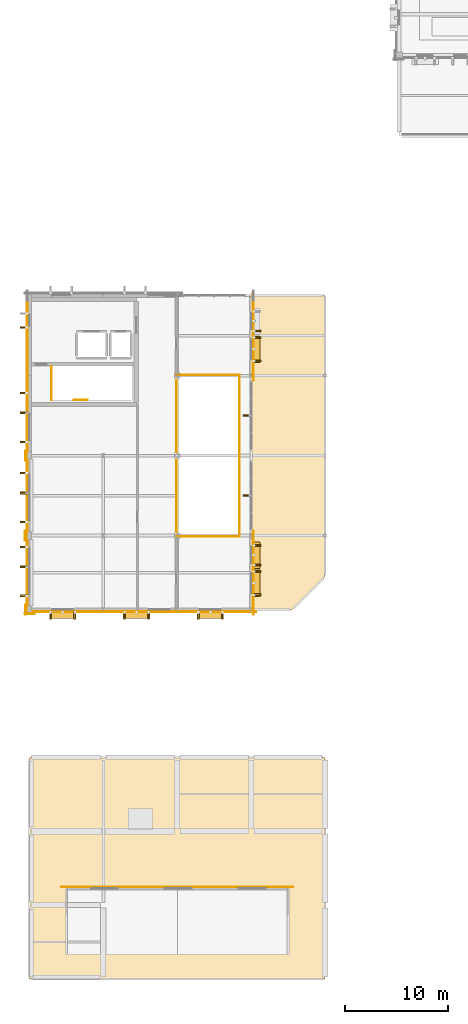
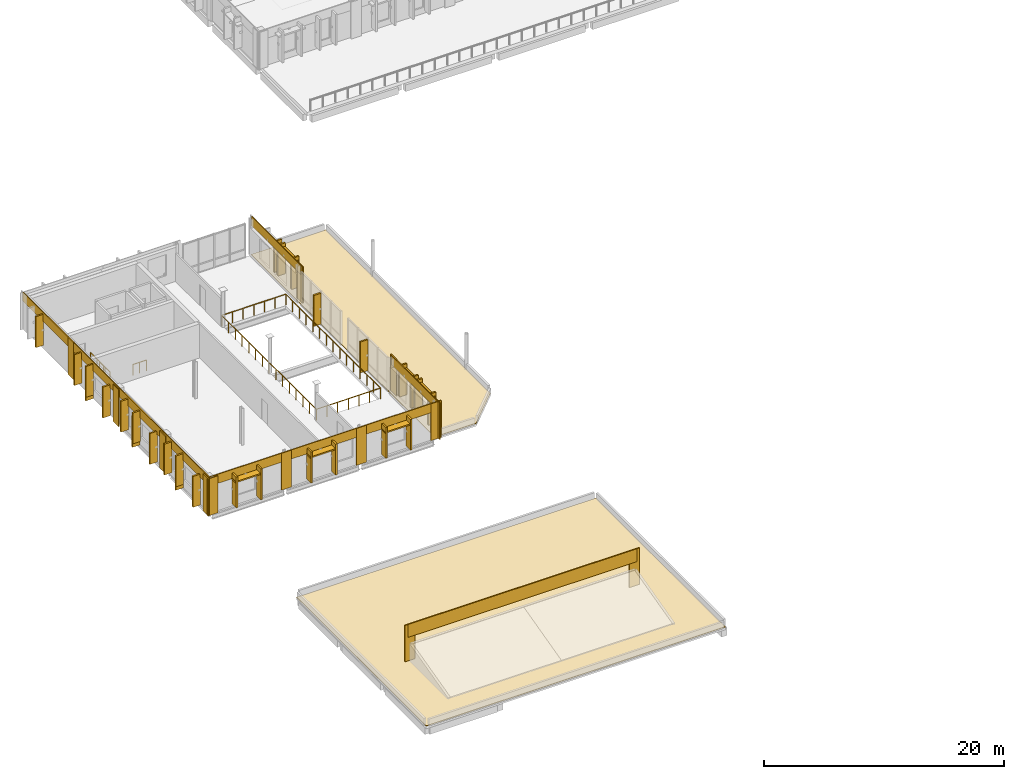
# One storey, part 17 of 23: 34 shading devices, 25 coverings, 7 railings.
"""IFC4 building model written with IfcOpenShell, lengths in metres."""

import ifcopenshell
import ifcopenshell.guid

model = None  # the IFC model being written
_history = None  # IfcOwnerHistory: only IFC2X3 demands one
_inside = {}  # id of a spatial element -> (the spatial element, [elements in it])
_under = {}  # id of a project, library or spatial element -> (it, [spatial elements below it])
_declared = {}  # id of a project -> (the project, [libraries it declares])
_typed = {}  # id of a type object -> (the type object, [elements of that type])
_made_of = {}  # id of a material, layer set ... -> (it, [elements and type objects made of it])


def new_model(schema):
    """Start an empty IFC model of exactly this schema.

    Asked for "IFC4X3", IfcOpenShell would pick the latest addendum, in which some entities
    have other attributes; the version numbers below select the first issue.
    IFC2X3 requires an IfcOwnerHistory on every rooted entity: one is made here for all.
    """
    global model, _history
    if schema == "IFC4X3":
        model = ifcopenshell.file(schema_version=(4, 3, 0, 0))
    else:
        model = ifcopenshell.file(schema=schema)
    _inside.clear()
    _under.clear()
    _declared.clear()
    _typed.clear()
    _made_of.clear()
    _history = None
    if model.schema == "IFC2X3":
        org = make("IfcOrganization", Name="unknown")
        user = make(
            "IfcPersonAndOrganization",
            ThePerson=make("IfcPerson", FamilyName="unknown"),
            TheOrganization=org,
        )
        app = make(
            "IfcApplication",
            ApplicationDeveloper=org,
            Version="unknown",
            ApplicationFullName="unknown",
            ApplicationIdentifier="unknown",
        )
        _history = make(
            "IfcOwnerHistory",
            OwningUser=user,
            OwningApplication=app,
            ChangeAction="ADDED",
            CreationDate=0,
        )
    return model


def make(cls, **values):
    """One entity of the class cls with the attributes given. An attribute that is None is left unset."""
    return model.create_entity(
        cls, **{name: value for name, value in values.items() if value is not None}
    )


def rooted(cls, **values):
    """An entity with a GlobalId (a new one), such as an element, a storey or a relation."""
    return make(cls, GlobalId=ifcopenshell.guid.new(), OwnerHistory=_history, **values)


def si_unit(unit_type, name, prefix=None):
    """IfcSIUnit, for example si_unit("LENGTHUNIT", "METRE", prefix="MILLI")."""
    return make("IfcSIUnit", UnitType=unit_type, Prefix=prefix, Name=name)


def assignment(units):
    """IfcUnitAssignment: the units of a project."""
    return None if units is None else make("IfcUnitAssignment", Units=units)


def point(xyz):
    """IfcCartesianPoint."""
    return None if xyz is None else make("IfcCartesianPoint", Coordinates=xyz)


def direction(xyz):
    """IfcDirection."""
    return None if xyz is None else make("IfcDirection", DirectionRatios=xyz)


def frame(location, z_axis=None, x_axis=None):
    """IfcAxis2Placement3D, a coordinate frame: its origin and axes. An axis left out is left unset."""
    return make(
        "IfcAxis2Placement3D",
        Location=point(location),
        Axis=direction(z_axis),
        RefDirection=direction(x_axis),
    )


def frame_2d(location, x_axis=None):
    """IfcAxis2Placement2D, a coordinate frame in the plane: its origin and x axis."""
    return make(
        "IfcAxis2Placement2D", Location=point(location), RefDirection=direction(x_axis)
    )


def origin():
    """The frame at (0, 0, 0) with its axes left unset."""
    return frame((0.0, 0.0, 0.0))


def origin_2d():
    """The frame at (0, 0) in the plane with its x axis left unset."""
    return frame_2d((0.0, 0.0))


def place(relative_to, where):
    """IfcLocalPlacement: puts the frame where relative to a parent placement (None: the world)."""
    return make(
        "IfcLocalPlacement", PlacementRelTo=relative_to, RelativePlacement=where
    )


def context(
    kind, dimensions, precision=None, world=None, true_north=None, identifier=None
):
    """IfcGeometricRepresentationContext, for example the 3D "Model" context."""
    return make(
        "IfcGeometricRepresentationContext",
        ContextIdentifier=identifier,
        ContextType=kind,
        CoordinateSpaceDimension=dimensions,
        Precision=precision,
        WorldCoordinateSystem=world,
        TrueNorth=true_north,
    )


def subcontext(parent, identifier, kind, view, scale=None):
    """IfcGeometricRepresentationSubContext, for example "Body" below "Model"."""
    return make(
        "IfcGeometricRepresentationSubContext",
        ContextIdentifier=identifier,
        ContextType=kind,
        ParentContext=parent,
        TargetScale=scale,
        TargetView=view,
    )


def project(units=None, contexts=None):
    """IfcProject with its units and contexts."""
    return rooted(
        "IfcProject",
        Name="project",
        RepresentationContexts=contexts,
        UnitsInContext=assignment(units),
    )


def spatial(cls, under=None, at=None, **own):
    """A site, building, storey or space (cls), placed at a placement, below another one or the project."""
    s = rooted(cls, ObjectPlacement=at, **own)
    if under is not None:
        _under.setdefault(under.id(), (under, []))[1].append(s)
    return s


def polyline(points):
    """IfcPolyline through the points."""
    return make("IfcPolyline", Points=[point(p) for p in points])


def profile(cls, at=None, kind="AREA", **sizes):
    """A parametric profile (cls). Its sizes go by their IFC names, for example OverallWidth=200.0."""
    return make(cls, ProfileType=kind, Position=at, **sizes)


def rectangle(**sizes):
    """IfcRectangleProfileDef."""
    return profile("IfcRectangleProfileDef", **sizes)


def circle(**sizes):
    """IfcCircleProfileDef."""
    return profile("IfcCircleProfileDef", **sizes)


def outline(outer, holes=None, kind="AREA"):
    """IfcArbitraryClosedProfileDef: a profile drawn as a closed curve; with holes, ...WithVoids."""
    if holes is None:
        return make("IfcArbitraryClosedProfileDef", ProfileType=kind, OuterCurve=outer)
    return make(
        "IfcArbitraryProfileDefWithVoids",
        ProfileType=kind,
        OuterCurve=outer,
        InnerCurves=holes,
    )


def extrude(swept, where, along, depth):
    """IfcExtrudedAreaSolid: the profile swept, set in the frame where, extruded along a direction by depth."""
    return make(
        "IfcExtrudedAreaSolid",
        SweptArea=swept,
        Position=where,
        ExtrudedDirection=direction(along),
        Depth=depth,
    )


def shape(context_of_items, identifier, shape_type, items):
    """IfcShapeRepresentation: the items that make up one representation, for example the "Body"."""
    return make(
        "IfcShapeRepresentation",
        ContextOfItems=context_of_items,
        RepresentationIdentifier=identifier,
        RepresentationType=shape_type,
        Items=items,
    )


def material(Name=None, Category=None):
    """IfcMaterial."""
    return make("IfcMaterial", Name=Name, Category=Category)


def layer(
    of_material, thickness, ventilated=None, Name=None, Category=None, Priority=None
):
    """IfcMaterialLayer: one layer of a wall or slab, of a material (None: an air gap)."""
    return make(
        "IfcMaterialLayer",
        Material=of_material,
        LayerThickness=thickness,
        IsVentilated=ventilated,
        Name=Name,
        Category=Category,
        Priority=Priority,
    )


def layer_set(layers, Name=None):
    """IfcMaterialLayerSet."""
    return make("IfcMaterialLayerSet", MaterialLayers=layers, LayerSetName=Name)


def made_of(thing, what):
    """Note that an element or type object is made of a material, layer set ...; save() writes the relation."""
    if what is not None:
        _made_of.setdefault(what.id(), (what, []))[1].append(thing)
    return thing


def type_object(cls, material=None, **own):
    """A type object (cls), such as IfcWallType, which elements share."""
    return made_of(rooted(cls, **own), material)


def element(
    cls,
    number,
    at=None,
    inside=None,
    cuts=None,
    type_object=None,
    material=None,
    context=None,
    identifier="Body",
    shape_type=None,
    held_by="IfcProductDefinitionShape",
    body=None,
    shapes=None,
    **own,
):
    """One element of the class cls, such as IfcWall. Its Tag is "e" and its number.

    at: its placement. inside: the storey or other place that contains it. cuts: it is an
    opening in that element (IfcRelVoidsElement). A single representation is given by context,
    identifier, shape_type and body (its items); several are given by shapes. held_by: the class
    of the entity that holds the representations. save() writes the other relations.
    """
    e = rooted(cls, Tag="e%d" % number, ObjectPlacement=at, **own)
    if body is not None:
        shapes = [shape(context, identifier, shape_type, body)]
    if shapes is not None:
        e.Representation = make(held_by, Representations=shapes)
    if inside is not None:
        _inside.setdefault(inside.id(), (inside, []))[1].append(e)
    if cuts is not None:
        rooted(
            "IfcRelVoidsElement", RelatingBuildingElement=cuts, RelatedOpeningElement=e
        )
    if type_object is not None:
        _typed.setdefault(type_object.id(), (type_object, []))[1].append(e)
    return made_of(e, material)


def aggregate(whole, parts):
    """IfcRelAggregates: a whole, such as a stair, and the parts it consists of."""
    return rooted("IfcRelAggregates", RelatingObject=whole, RelatedObjects=parts)


def save(model, path):
    """Write the relations noted so far, then the file.

    IfcRelAggregates (storeys below a building ...), IfcRelContainedInSpatialStructure (elements
    in a storey), IfcRelDefinesByType, IfcRelAssociatesMaterial and IfcRelDeclares: one each for
    every whole, place, type object, material and project.
    """
    for whole, parts in _under.values():
        aggregate(whole, parts)
    for where, things in _inside.values():
        rooted(
            "IfcRelContainedInSpatialStructure",
            RelatedElements=things,
            RelatingStructure=where,
        )
    for kind, things in _typed.values():
        rooted("IfcRelDefinesByType", RelatedObjects=things, RelatingType=kind)
    for what, things in _made_of.values():
        rooted("IfcRelAssociatesMaterial", RelatedObjects=things, RelatingMaterial=what)
    for by, libraries in _declared.values():
        rooted("IfcRelDeclares", RelatingContext=by, RelatedDefinitions=libraries)
    model.write(path)


model = new_model("IFC4")

# Units and contexts
model_context = context("Model", 3, precision=1e-05, world=origin(), true_north=direction((0.0, 1.0)))
body_context = subcontext(model_context, "Body", "Model", "MODEL_VIEW")
ifc_project = project(units=[si_unit("LENGTHUNIT", "METRE"), si_unit("AREAUNIT", "SQUARE_METRE"), si_unit("VOLUMEUNIT", "CUBIC_METRE"), si_unit("PLANEANGLEUNIT", "RADIAN"), si_unit("MASSUNIT", "GRAM", prefix="KILO")], contexts=[model_context])

# Site, building, storey
site_placement = place(None, origin())
site = spatial("IfcSite", under=ifc_project, at=site_placement, CompositionType="ELEMENT")
building_placement = place(site_placement, origin())
building = spatial("IfcBuilding", under=site, at=building_placement, Name="Vervanel Yard Central Library", CompositionType="ELEMENT")
storey_placement = place(building_placement, frame((0.0, 0.0, 16.52001953125)))
storey = spatial("IfcBuildingStorey", under=building, at=storey_placement, Name="L04", CompositionType="ELEMENT", Elevation=16.52001953125)

# Coverings
ifc_material_1 = material(Name="Precast concrete C45/55", Category="concrete")
ifc_layer_1 = layer(ifc_material_1, 0.0849609375, Category="concrete")
ifc_layer_set_1 = layer_set([ifc_layer_1], Name="Precast concrete C45/55")
covering_type_1 = type_object("IfcCoveringType", Name="Bush-Hammered Precast Architectural Cladding Panel", PredefinedType="CLADDING", material=ifc_layer_set_1)
covering_1_placement = place(storey_placement, frame((-0.2099609375, 39.60009765625, 2.840087890625), z_axis=(0.0, 0.0, 1.0), x_axis=(0.0, 1.0, 0.0)))
element("IfcCovering", 1, at=covering_1_placement, inside=storey, type_object=covering_type_1, Name="L04 Precast Concrete Spandrel Cornice EWALL-L04-0142", PredefinedType="CLADDING", context=body_context, shape_type="SweptSolid", body=[
    extrude(rectangle(XDim=7.64990234375, YDim=0.0849609375, at=origin_2d()), origin(), (0.0, 0.0, 1.0), 0.919921875),
])
for number, where, z_axis, x_axis, name in (
    (2, (-0.392578125, 36.0, 0.0), (0.0, 0.0, 1.0), (0.0, 1.0, 0.0), "L04 Precast Concrete Pier Pilaster EWALL-L04-0142-A"),
    (3, (-0.402587890625, 43.199951171875, 0.0), (0.0, 0.0, 1.0), (0.0, 1.0, 0.0), "L04 Precast Concrete Pier Pilaster EWALL-L04-0142-B"),
):
    element("IfcCovering", number, at=place(storey_placement, frame(where, z_axis=z_axis, x_axis=x_axis)), inside=storey, type_object=covering_type_1, Name=name, PredefinedType="CLADDING", context=body_context, shape_type="SweptSolid", body=[
        extrude(rectangle(XDim=0.97998046875, YDim=0.0849609375, at=origin_2d()), origin(), (0.0, 0.0, 1.0), 3.760009765625),
    ])
covering_2_placement = place(storey_placement, frame((-0.2099609375, 47.10009765625, 2.840087890625), z_axis=(0.0, 0.0, 1.0), x_axis=(0.0, 1.0, 0.0)))
element("IfcCovering", 4, at=covering_2_placement, inside=storey, type_object=covering_type_1, Name="L04 Precast Concrete Spandrel Cornice EWALL-L04-0143", PredefinedType="CLADDING", context=body_context, shape_type="SweptSolid", body=[
    extrude(rectangle(XDim=8.25, YDim=0.0849609375, at=origin_2d()), origin(), (0.0, 0.0, 1.0), 0.919921875),
])
covering_3_placement = place(storey_placement, frame((-0.392578125, 51.0, 0.0), z_axis=(0.0, 0.0, 1.0), x_axis=(0.0, 1.0, 0.0)))
element("IfcCovering", 5, at=covering_3_placement, inside=storey, type_object=covering_type_1, Name="L04 Precast Concrete Pier Pilaster EWALL-L04-0143-B", PredefinedType="CLADDING", context=body_context, shape_type="SweptSolid", body=[
    extrude(rectangle(XDim=0.97998046875, YDim=0.0849609375, at=origin_2d()), origin(), (0.0, 0.0, 1.0), 3.760009765625),
])
covering_4_placement = place(storey_placement, frame((-0.2099609375, 54.89990234375, 2.840087890625), z_axis=(0.0, 0.0, 1.0), x_axis=(0.0, 1.0, 0.0)))
element("IfcCovering", 6, at=covering_4_placement, inside=storey, type_object=covering_type_1, Name="L04 Precast Concrete Spandrel Cornice EWALL-L04-0144", PredefinedType="CLADDING", context=body_context, shape_type="SweptSolid", body=[
    extrude(rectangle(XDim=8.25, YDim=0.0849609375, at=origin_2d()), origin(), (0.0, 0.0, 1.0), 0.919921875),
])
covering_5_placement = place(storey_placement, frame((-0.21240234375, 58.800048828125, 0.0), z_axis=(0.0, 0.0, 1.0), x_axis=(0.0, 1.0, 0.0)))
element("IfcCovering", 7, at=covering_5_placement, inside=storey, type_object=covering_type_1, Name="L04 Precast Concrete Pier Pilaster EWALL-L04-0144-B", PredefinedType="CLADDING", context=body_context, shape_type="SweptSolid", body=[
    extrude(rectangle(XDim=0.97998046875, YDim=0.0849609375, at=origin_2d()), origin(), (0.0, 0.0, 1.0), 3.760009765625),
])
covering_6_placement = place(storey_placement, frame((-0.2099609375, 62.699951171875, 2.840087890625), z_axis=(0.0, 0.0, 1.0), x_axis=(0.0, 1.0, 0.0)))
element("IfcCovering", 8, at=covering_6_placement, inside=storey, type_object=covering_type_1, Name="L04 Precast Concrete Spandrel Cornice EWALL-L04-0145", PredefinedType="CLADDING", context=body_context, shape_type="SweptSolid", body=[
    extrude(rectangle(XDim=8.25, YDim=0.0849609375, at=origin_2d()), origin(), (0.0, 0.0, 1.0), 0.919921875),
])
covering_7_placement = place(storey_placement, frame((21.7900390625, 39.60009765625, 2.840087890625), z_axis=(0.0, 0.0, 1.0), x_axis=(0.0, 1.0, 0.0)))
element("IfcCovering", 9, at=covering_7_placement, inside=storey, type_object=covering_type_1, Name="L04 Precast Concrete Spandrel Cornice EWALL-L04-0146", PredefinedType="CLADDING", context=body_context, shape_type="SweptSolid", body=[
    extrude(rectangle(XDim=7.64990234375, YDim=0.0849609375, at=origin_2d()), origin(), (0.0, 0.0, 1.0), 0.919921875),
])
for number, where, z_axis, x_axis, name in (
    (10, (21.8203125, 36.0, 0.0), (0.0, 0.0, 1.0), (0.0, 1.0, 0.0), "L04 Precast Concrete Pier Pilaster EWALL-L04-0146-A"),
    (11, (21.8203125, 43.199951171875, 0.0), (0.0, 0.0, 1.0), (0.0, 1.0, 0.0), "L04 Precast Concrete Pier Pilaster EWALL-L04-0146-B"),
):
    element("IfcCovering", number, at=place(storey_placement, frame(where, z_axis=z_axis, x_axis=x_axis)), inside=storey, type_object=covering_type_1, Name=name, PredefinedType="CLADDING", context=body_context, shape_type="SweptSolid", body=[
        extrude(rectangle(XDim=0.97998046875, YDim=0.0849609375, at=origin_2d()), origin(), (0.0, 0.0, 1.0), 3.760009765625),
    ])
covering_8_placement = place(storey_placement, frame((21.7900390625, 62.699951171875, 2.840087890625), z_axis=(0.0, 0.0, 1.0), x_axis=(0.0, 1.0, 0.0)))
element("IfcCovering", 12, at=covering_8_placement, inside=storey, type_object=covering_type_1, Name="L04 Precast Concrete Spandrel Cornice EWALL-L04-0147", PredefinedType="CLADDING", context=body_context, shape_type="SweptSolid", body=[
    extrude(rectangle(XDim=8.25, YDim=0.0849609375, at=origin_2d()), origin(), (0.0, 0.0, 1.0), 0.919921875),
])
covering_9_placement = place(storey_placement, frame((21.8203125, 58.800048828125, 0.0), z_axis=(0.0, 0.0, 1.0), x_axis=(0.0, 1.0, 0.0)))
element("IfcCovering", 13, at=covering_9_placement, inside=storey, type_object=covering_type_1, Name="L04 Precast Concrete Pier Pilaster EWALL-L04-0147-A", PredefinedType="CLADDING", context=body_context, shape_type="SweptSolid", body=[
    extrude(rectangle(XDim=0.97998046875, YDim=0.0849609375, at=origin_2d()), origin(), (0.0, 0.0, 1.0), 3.760009765625),
])
covering_10_placement = place(storey_placement, frame((3.60009765625, 35.7900390625, 2.840087890625), z_axis=(0.0, 0.0, 1.0), x_axis=(1.0, 0.0, 0.0)))
element("IfcCovering", 14, at=covering_10_placement, inside=storey, type_object=covering_type_1, Name="L04 Precast Concrete Spandrel Cornice EWALL-L04-0149", PredefinedType="CLADDING", context=body_context, shape_type="SweptSolid", body=[
    extrude(rectangle(XDim=7.64990234375, YDim=0.0849609375, at=origin_2d()), origin(), (0.0, 0.0, 1.0), 0.919921875),
])
for number, where, z_axis, x_axis, name in (
    (15, (0.0, 35.607421875, 0.0), (0.0, 0.0, 1.0), (1.0, 0.0, 0.0), "L04 Precast Concrete Pier Pilaster EWALL-L04-0149-A"),
    (16, (7.199951171875, 35.77978515625, 0.0), (0.0, 0.0, 1.0), (1.0, 0.0, 0.0), "L04 Precast Concrete Pier Pilaster EWALL-L04-0149-B"),
):
    element("IfcCovering", number, at=place(storey_placement, frame(where, z_axis=z_axis, x_axis=x_axis)), inside=storey, type_object=covering_type_1, Name=name, PredefinedType="CLADDING", context=body_context, shape_type="SweptSolid", body=[
        extrude(rectangle(XDim=0.97998046875, YDim=0.0849609375, at=origin_2d()), origin(), (0.0, 0.0, 1.0), 3.760009765625),
    ])
covering_11_placement = place(storey_placement, frame((10.800048828125, 35.7900390625, 2.840087890625), z_axis=(0.0, 0.0, 1.0), x_axis=(1.0, 0.0, 0.0)))
element("IfcCovering", 17, at=covering_11_placement, inside=storey, type_object=covering_type_1, Name="L04 Precast Concrete Spandrel Cornice EWALL-L04-0151", PredefinedType="CLADDING", context=body_context, shape_type="SweptSolid", body=[
    extrude(rectangle(XDim=7.64990234375, YDim=0.0849609375, at=origin_2d()), origin(), (0.0, 0.0, 1.0), 0.919921875),
])
covering_12_placement = place(storey_placement, frame((14.39990234375, 35.77978515625, 0.0), z_axis=(0.0, 0.0, 1.0), x_axis=(1.0, 0.0, 0.0)))
element("IfcCovering", 18, at=covering_12_placement, inside=storey, type_object=covering_type_1, Name="L04 Precast Concrete Pier Pilaster EWALL-L04-0151-B", PredefinedType="CLADDING", context=body_context, shape_type="SweptSolid", body=[
    extrude(rectangle(XDim=0.97998046875, YDim=0.0849609375, at=origin_2d()), origin(), (0.0, 0.0, 1.0), 3.760009765625),
])
covering_13_placement = place(storey_placement, frame((18.0, 35.7900390625, 2.840087890625), z_axis=(0.0, 0.0, 1.0), x_axis=(1.0, 0.0, 0.0)))
element("IfcCovering", 19, at=covering_13_placement, inside=storey, type_object=covering_type_1, Name="L04 Precast Concrete Spandrel Cornice EWALL-L04-0152", PredefinedType="CLADDING", context=body_context, shape_type="SweptSolid", body=[
    extrude(rectangle(XDim=7.64990234375, YDim=0.0849609375, at=origin_2d()), origin(), (0.0, 0.0, 1.0), 0.919921875),
])
covering_14_placement = place(storey_placement, frame((21.60009765625, 35.77978515625, 0.0), z_axis=(0.0, 0.0, 1.0), x_axis=(1.0, 0.0, 0.0)))
element("IfcCovering", 20, at=covering_14_placement, inside=storey, type_object=covering_type_1, Name="L04 Precast Concrete Pier Pilaster EWALL-L04-0152-B", PredefinedType="CLADDING", context=body_context, shape_type="SweptSolid", body=[
    extrude(rectangle(XDim=0.97998046875, YDim=0.0849609375, at=origin_2d()), origin(), (0.0, 0.0, 1.0), 3.760009765625),
])
covering_15_placement = place(storey_placement, frame((14.39990234375, 8.9599609375, 2.449951171875), z_axis=(0.0, 0.0, 1.0), x_axis=(1.0, 0.0, 0.0)))
element("IfcCovering", 21, at=covering_15_placement, inside=storey, type_object=covering_type_1, Name="L04 Precast Concrete Spandrel Cornice EWALL-L04-0257", PredefinedType="CLADDING", context=body_context, shape_type="SweptSolid", body=[
    extrude(rectangle(XDim=22.050048828125, YDim=0.0849609375, at=origin_2d()), origin(), (0.0, 0.0, 1.0), 1.31005859375),
])
for number, where, z_axis, x_axis, name in (
    (22, (3.60009765625, 8.96240234375, 0.0), (0.0, 0.0, 1.0), (1.0, 0.0, 0.0), "L04 Precast Concrete Pier Pilaster EWALL-L04-0257-A"),
    (23, (25.199951171875, 8.96240234375, 0.0), (0.0, 0.0, 1.0), (1.0, 0.0, 0.0), "L04 Precast Concrete Pier Pilaster EWALL-L04-0257-B"),
):
    element("IfcCovering", number, at=place(storey_placement, frame(where, z_axis=z_axis, x_axis=x_axis)), inside=storey, type_object=covering_type_1, Name=name, PredefinedType="CLADDING", context=body_context, shape_type="SweptSolid", body=[
        extrude(rectangle(XDim=0.97998046875, YDim=0.0849609375, at=origin_2d()), origin(), (0.0, 0.0, 1.0), 3.760009765625),
    ])

# Railings
ifc_material_2 = material(Name="Brushed stainless steel AISI 316", Category="steel")
railing_type_1 = type_object("IfcRailingType", Name="Glazed Atrium & Gallery Balustrade 1120", PredefinedType="BALUSTRADE", material=ifc_material_2)
railing_1_placement = place(storey_placement, frame((14.320068359375, 43.1201171875, 0.0)))
element("IfcRailing", 24, at=railing_1_placement, inside=storey, type_object=railing_type_1, Name="L04 Void Guard ATRIUM-GD-L04 S", PredefinedType="BALUSTRADE", context=body_context, shape_type="SweptSolid", body=[
    extrude(circle(Radius=0.02392578125, at=origin_2d()), frame((0.0, 0.0, 1.09619140625), z_axis=(1.0, 0.0, 0.0), x_axis=(0.0, 1.0, 0.0)), (0.0, 0.0, 1.0), 6.159912109375),
    extrude(circle(Radius=0.02099609375, at=origin_2d()), origin(), (0.0, 0.0, 1.0), 1.072021484375),
    extrude(circle(Radius=0.02099609375, at=origin_2d()), frame((1.026611328125, 0.0, 0.0)), (0.0, 0.0, 1.0), 1.072021484375),
    extrude(circle(Radius=0.02099609375, at=origin_2d()), frame((2.05322265625, 0.0, 0.0)), (0.0, 0.0, 1.0), 1.072021484375),
    extrude(circle(Radius=0.02099609375, at=origin_2d()), frame((3.080078125, 0.0, 0.0)), (0.0, 0.0, 1.0), 1.072021484375),
    extrude(circle(Radius=0.02099609375, at=origin_2d()), frame((4.106689453125, 0.0, 0.0)), (0.0, 0.0, 1.0), 1.072021484375),
    extrude(circle(Radius=0.02099609375, at=origin_2d()), frame((5.13330078125, 0.0, 0.0)), (0.0, 0.0, 1.0), 1.072021484375),
    extrude(circle(Radius=0.02099609375, at=origin_2d()), frame((6.159912109375, 0.0, 0.0)), (0.0, 0.0, 1.0), 1.072021484375),
])
railing_2_placement = place(storey_placement, frame((20.47998046875, 43.1201171875, 0.0)))
element("IfcRailing", 25, at=railing_2_placement, inside=storey, type_object=railing_type_1, Name="L04 Void Guard ATRIUM-GD-L04 E", PredefinedType="BALUSTRADE", context=body_context, shape_type="SweptSolid", body=[
    extrude(circle(Radius=0.02392578125, at=origin_2d()), frame((0.0, 0.0, 1.09619140625), z_axis=(0.0, 1.0, 0.0), x_axis=(-1.0, 0.0, 0.0)), (0.0, 0.0, 1.0), 15.759765625),
    extrude(circle(Radius=0.02099609375, at=origin_2d()), origin(), (0.0, 0.0, 1.0), 1.072021484375),
    extrude(circle(Radius=0.02099609375, at=origin_2d()), frame((0.0, 1.125732421875, 0.0)), (0.0, 0.0, 1.0), 1.072021484375),
    extrude(circle(Radius=0.02099609375, at=origin_2d()), frame((0.0, 2.25146484375, 0.0)), (0.0, 0.0, 1.0), 1.072021484375),
    extrude(circle(Radius=0.02099609375, at=origin_2d()), frame((0.0, 3.377197265625, 0.0)), (0.0, 0.0, 1.0), 1.072021484375),
    extrude(circle(Radius=0.02099609375, at=origin_2d()), frame((0.0, 4.502685546875, 0.0)), (0.0, 0.0, 1.0), 1.072021484375),
    extrude(circle(Radius=0.02099609375, at=origin_2d()), frame((0.0, 5.62841796875, 0.0)), (0.0, 0.0, 1.0), 1.072021484375),
    extrude(circle(Radius=0.02099609375, at=origin_2d()), frame((0.0, 6.754150390625, 0.0)), (0.0, 0.0, 1.0), 1.072021484375),
    extrude(circle(Radius=0.02099609375, at=origin_2d()), frame((0.0, 7.8798828125, 0.0)), (0.0, 0.0, 1.0), 1.072021484375),
    extrude(circle(Radius=0.02099609375, at=origin_2d()), frame((0.0, 9.005615234375, 0.0)), (0.0, 0.0, 1.0), 1.072021484375),
    extrude(circle(Radius=0.02099609375, at=origin_2d()), frame((0.0, 10.13134765625, 0.0)), (0.0, 0.0, 1.0), 1.072021484375),
    extrude(circle(Radius=0.02099609375, at=origin_2d()), frame((0.0, 11.257080078125, 0.0)), (0.0, 0.0, 1.0), 1.072021484375),
    extrude(circle(Radius=0.02099609375, at=origin_2d()), frame((0.0, 12.382568359375, 0.0)), (0.0, 0.0, 1.0), 1.072021484375),
    extrude(circle(Radius=0.02099609375, at=origin_2d()), frame((0.0, 13.50830078125, 0.0)), (0.0, 0.0, 1.0), 1.072021484375),
    extrude(circle(Radius=0.02099609375, at=origin_2d()), frame((0.0, 14.634033203125, 0.0)), (0.0, 0.0, 1.0), 1.072021484375),
    extrude(circle(Radius=0.02099609375, at=origin_2d()), frame((0.0, 15.759765625, 0.0)), (0.0, 0.0, 1.0), 1.072021484375),
])
railing_3_placement = place(storey_placement, frame((20.47998046875, 58.8798828125, 0.0)))
element("IfcRailing", 26, at=railing_3_placement, inside=storey, type_object=railing_type_1, Name="L04 Void Guard ATRIUM-GD-L04 N", PredefinedType="BALUSTRADE", context=body_context, shape_type="SweptSolid", body=[
    extrude(circle(Radius=0.02392578125, at=origin_2d()), frame((0.0, 0.0, 1.09619140625), z_axis=(-1.0, 0.0, 0.0), x_axis=(0.0, -1.0, 0.0)), (0.0, 0.0, 1.0), 6.159912109375),
    extrude(circle(Radius=0.02099609375, at=origin_2d()), origin(), (0.0, 0.0, 1.0), 1.072021484375),
    extrude(circle(Radius=0.02099609375, at=origin_2d()), frame((-1.026611328125, 0.0, 0.0)), (0.0, 0.0, 1.0), 1.072021484375),
    extrude(circle(Radius=0.02099609375, at=origin_2d()), frame((-2.05322265625, 0.0, 0.0)), (0.0, 0.0, 1.0), 1.072021484375),
    extrude(circle(Radius=0.02099609375, at=origin_2d()), frame((-3.080078125, 0.0, 0.0)), (0.0, 0.0, 1.0), 1.072021484375),
    extrude(circle(Radius=0.02099609375, at=origin_2d()), frame((-4.106689453125, 0.0, 0.0)), (0.0, 0.0, 1.0), 1.072021484375),
    extrude(circle(Radius=0.02099609375, at=origin_2d()), frame((-5.13330078125, 0.0, 0.0)), (0.0, 0.0, 1.0), 1.072021484375),
    extrude(circle(Radius=0.02099609375, at=origin_2d()), frame((-6.159912109375, 0.0, 0.0)), (0.0, 0.0, 1.0), 1.072021484375),
])
railing_4_placement = place(storey_placement, frame((14.320068359375, 58.8798828125, 0.0)))
element("IfcRailing", 27, at=railing_4_placement, inside=storey, type_object=railing_type_1, Name="L04 Void Guard ATRIUM-GD-L04 W", PredefinedType="BALUSTRADE", context=body_context, shape_type="SweptSolid", body=[
    extrude(circle(Radius=0.02392578125, at=origin_2d()), frame((0.0, 0.0, 1.09619140625), z_axis=(0.0, -1.0, 0.0), x_axis=(1.0, 0.0, 0.0)), (0.0, 0.0, 1.0), 15.759765625),
    extrude(circle(Radius=0.02099609375, at=origin_2d()), origin(), (0.0, 0.0, 1.0), 1.072021484375),
    extrude(circle(Radius=0.02099609375, at=origin_2d()), frame((0.0, -1.125732421875, 0.0)), (0.0, 0.0, 1.0), 1.072021484375),
    extrude(circle(Radius=0.02099609375, at=origin_2d()), frame((0.0, -2.25146484375, 0.0)), (0.0, 0.0, 1.0), 1.072021484375),
    extrude(circle(Radius=0.02099609375, at=origin_2d()), frame((0.0, -3.377197265625, 0.0)), (0.0, 0.0, 1.0), 1.072021484375),
    extrude(circle(Radius=0.02099609375, at=origin_2d()), frame((0.0, -4.502685546875, 0.0)), (0.0, 0.0, 1.0), 1.072021484375),
    extrude(circle(Radius=0.02099609375, at=origin_2d()), frame((0.0, -5.62841796875, 0.0)), (0.0, 0.0, 1.0), 1.072021484375),
    extrude(circle(Radius=0.02099609375, at=origin_2d()), frame((0.0, -6.754150390625, 0.0)), (0.0, 0.0, 1.0), 1.072021484375),
    extrude(circle(Radius=0.02099609375, at=origin_2d()), frame((0.0, -7.8798828125, 0.0)), (0.0, 0.0, 1.0), 1.072021484375),
    extrude(circle(Radius=0.02099609375, at=origin_2d()), frame((0.0, -9.005615234375, 0.0)), (0.0, 0.0, 1.0), 1.072021484375),
    extrude(circle(Radius=0.02099609375, at=origin_2d()), frame((0.0, -10.13134765625, 0.0)), (0.0, 0.0, 1.0), 1.072021484375),
    extrude(circle(Radius=0.02099609375, at=origin_2d()), frame((0.0, -11.257080078125, 0.0)), (0.0, 0.0, 1.0), 1.072021484375),
    extrude(circle(Radius=0.02099609375, at=origin_2d()), frame((0.0, -12.382568359375, 0.0)), (0.0, 0.0, 1.0), 1.072021484375),
    extrude(circle(Radius=0.02099609375, at=origin_2d()), frame((0.0, -13.50830078125, 0.0)), (0.0, 0.0, 1.0), 1.072021484375),
    extrude(circle(Radius=0.02099609375, at=origin_2d()), frame((0.0, -14.634033203125, 0.0)), (0.0, 0.0, 1.0), 1.072021484375),
    extrude(circle(Radius=0.02099609375, at=origin_2d()), frame((0.0, -15.759765625, 0.0)), (0.0, 0.0, 1.0), 1.072021484375),
])

# Shading devices
shading_device_type_1 = type_object("IfcShadingDeviceType", Name="Horizontal Precast Brise-Soleil Sunhood 2600x680x140", PredefinedType="JALOUSIE", material=ifc_material_1)
for number, where, z_axis, x_axis, name in (
    (28, (22.1201171875, 38.574951171875, 2.97998046875), (0.0, 0.0, 1.0), (0.0, 1.0, 0.0), "L04 Precast Horizontal Sunhood 87"),
    (29, (22.1201171875, 41.300048828125, 2.93017578125), (0.0, 0.0, 1.0), (0.0, 1.0, 0.0), "L04 Precast Horizontal Sunhood 88"),
    (30, (22.1201171875, 61.375, 2.97998046875), (0.0, 0.0, 1.0), (0.0, 1.0, 0.0), "L04 Precast Horizontal Sunhood 89"),
    (31, (3.22509765625, 35.4599609375, 2.7802734375), (0.0, 0.0, 1.0), (1.0, 0.0, 0.0), "L04 Precast Horizontal Sunhood 91"),
    (32, (10.425048828125, 35.4599609375, 2.7802734375), (0.0, 0.0, 1.0), (1.0, 0.0, 0.0), "L04 Precast Horizontal Sunhood 92"),
    (33, (17.625, 35.4599609375, 2.7802734375), (0.0, 0.0, 1.0), (1.0, 0.0, 0.0), "L04 Precast Horizontal Sunhood 93"),
):
    element("IfcShadingDevice", number, at=place(storey_placement, frame(where, z_axis=z_axis, x_axis=x_axis)), inside=storey, type_object=shading_device_type_1, Name=name, PredefinedType="JALOUSIE", context=body_context, shape_type="SweptSolid", body=[
        extrude(rectangle(XDim=2.60009765625, YDim=0.679931640625, at=origin_2d()), origin(), (0.0, 0.0, 1.0), 0.139892578125),
    ])

# Railings
ifc_material_3 = material(Name="Galvanized painted steelwork ASTM A500 Grade C", Category="steel")
railing_type_2 = type_object("IfcRailingType", Name="Painted Steel Guardrail 1100", PredefinedType="GUARDRAIL", material=ifc_material_3)
railing_5_placement = place(storey_placement, frame((2.14990234375, 56.39990234375, 0.0)))
element("IfcRailing", 34, at=railing_5_placement, inside=storey, type_object=railing_type_2, Name="L04 ST-03 top well guard 1", PredefinedType="GUARDRAIL", context=body_context, shape_type="SweptSolid", body=[
    extrude(circle(Radius=0.02392578125, at=origin_2d()), frame((0.0, 0.0, 1.076171875), z_axis=(0.0, 1.0, 0.0), x_axis=(-1.0, 0.0, 0.0)), (0.0, 0.0, 1.0), 1.739990234375),
    extrude(circle(Radius=0.02099609375, at=origin_2d()), origin(), (0.0, 0.0, 1.0), 1.052001953125),
    extrude(circle(Radius=0.02099609375, at=origin_2d()), frame((0.0, 0.8701171875, 0.0)), (0.0, 0.0, 1.0), 1.052001953125),
    extrude(circle(Radius=0.02099609375, at=origin_2d()), frame((0.0, 1.739990234375, 0.0)), (0.0, 0.0, 1.0), 1.052001953125),
])
railing_6_placement = place(storey_placement, frame((2.159912109375, 56.449951171875, 0.0)))
element("IfcRailing", 35, at=railing_6_placement, inside=storey, type_object=railing_type_2, Name="L04 CORE-C Top Stair Well Guard", PredefinedType="GUARDRAIL", context=body_context, shape_type="SweptSolid", body=[
    extrude(circle(Radius=0.02392578125, at=origin_2d()), frame((0.0, 0.0, 1.076171875), z_axis=(0.0, 1.0, 0.0), x_axis=(-1.0, 0.0, 0.0)), (0.0, 0.0, 1.0), 3.219970703125),
    extrude(circle(Radius=0.02099609375, at=origin_2d()), origin(), (0.0, 0.0, 1.0), 1.052001953125),
    extrude(circle(Radius=0.02099609375, at=origin_2d()), frame((0.0, 1.0732421875, 0.0)), (0.0, 0.0, 1.0), 1.052001953125),
    extrude(circle(Radius=0.02099609375, at=origin_2d()), frame((0.0, 2.146728515625, 0.0)), (0.0, 0.0, 1.0), 1.052001953125),
    extrude(circle(Radius=0.02099609375, at=origin_2d()), frame((0.0, 3.219970703125, 0.0)), (0.0, 0.0, 1.0), 1.052001953125),
])
railing_7_placement = place(storey_placement, frame((4.35009765625, 56.419921875, 0.0)))
element("IfcRailing", 36, at=railing_7_placement, inside=storey, type_object=railing_type_2, Name="L04 CORE-C Top Stair South Well Guard", PredefinedType="GUARDRAIL", context=body_context, shape_type="SweptSolid", body=[
    extrude(circle(Radius=0.02392578125, at=origin_2d()), frame((0.0, 0.0, 1.076171875), z_axis=(1.0, 0.0, 0.0), x_axis=(0.0, 1.0, 0.0)), (0.0, 0.0, 1.0), 1.2998046875),
    extrude(circle(Radius=0.02099609375, at=origin_2d()), origin(), (0.0, 0.0, 1.0), 1.052001953125),
    extrude(circle(Radius=0.02099609375, at=origin_2d()), frame((0.64990234375, 0.0, 0.0)), (0.0, 0.0, 1.0), 1.052001953125),
    extrude(circle(Radius=0.02099609375, at=origin_2d()), frame((1.2998046875, 0.0, 0.0)), (0.0, 0.0, 1.0), 1.052001953125),
])

# Coverings
ifc_material_4 = material(Name="Standing-seam dark zinc-coated metal roofing", Category="metal")
ifc_layer_2 = layer(ifc_material_4, 0.06494140625, Category="metal")
ifc_layer_set_2 = layer_set([ifc_layer_2], Name="Standing-seam dark zinc-coated metal roofing")
covering_type_2 = type_object("IfcCoveringType", Name="Standing-Seam Dark Zinc Roof Assembly", PredefinedType="ROOFING", material=ifc_layer_set_2)
covering_16_placement = place(storey_placement, origin())
element("IfcCovering", 37, at=covering_16_placement, inside=storey, type_object=covering_type_2, Name="L04 Roof Covering ROOF-L04-V2E", PredefinedType="ROOFING", context=body_context, shape_type="SweptSolid", body=[
    extrude(outline(polyline([(21.60009765625, 36.0), (25.60009765625, 36.0), (28.800048828125, 39.199951171875), (28.800048828125, 66.60009765625), (21.60009765625, 66.60009765625), (21.60009765625, 36.0)])), origin(), (0.0, 0.0, 1.0), 0.06494140625),
])
covering_17_placement = place(storey_placement, origin())
element("IfcCovering", 38, at=covering_17_placement, inside=storey, type_object=covering_type_2, Name="L04 Roof Covering ROOF-L04-V6TOP", PredefinedType="ROOFING", context=body_context, shape_type="SweptSolid", body=[
    extrude(outline(polyline([(0.0, 0.0), (28.800048828125, 0.0), (28.800048828125, 21.60009765625), (0.0, 21.60009765625), (0.0, 0.0)])), origin(), (0.0, 0.0, 1.0), 0.06494140625),
])

# Shading devices
shading_device_type_2 = type_object("IfcShadingDeviceType", Name="Vertical Precast Solar Fin 160x720x3200", PredefinedType="JALOUSIE", material=ifc_material_1)
for number, where, z_axis, x_axis, name in (
    (39, (-0.570068359375, 37.340087890625, 0.0048828125), (0.0, 0.0, 1.0), (0.0, 1.0, 0.0), "L04 Precast Solar Fin 395"),
    (40, (-0.570068359375, 40.2099609375, 0.0048828125), (0.0, 0.0, 1.0), (0.0, 1.0, 0.0), "L04 Precast Solar Fin 396"),
    (41, (-0.570068359375, 40.139892578125, 0.4052734375), (0.0, 0.0, 1.0), (0.0, 1.0, 0.0), "L04 Precast Solar Fin 397"),
    (42, (-0.570068359375, 42.110107421875, 0.4052734375), (0.0, 0.0, 1.0), (0.0, 1.0, 0.0), "L04 Precast Solar Fin 398"),
    (43, (-0.570068359375, 44.5400390625, 0.0048828125), (0.0, 0.0, 1.0), (0.0, 1.0, 0.0), "L04 Precast Solar Fin 399"),
    (44, (-0.570068359375, 47.409912109375, 0.0048828125), (0.0, 0.0, 1.0), (0.0, 1.0, 0.0), "L04 Precast Solar Fin 400"),
    (45, (-0.570068359375, 47.340087890625, 0.4052734375), (0.0, 0.0, 1.0), (0.0, 1.0, 0.0), "L04 Precast Solar Fin 401"),
    (46, (-0.570068359375, 49.31005859375, 0.4052734375), (0.0, 0.0, 1.0), (0.0, 1.0, 0.0), "L04 Precast Solar Fin 402"),
    (47, (-0.570068359375, 52.340087890625, 0.0048828125), (0.0, 0.0, 1.0), (0.0, 1.0, 0.0), "L04 Precast Solar Fin 403"),
    (48, (-0.570068359375, 55.2099609375, 0.0048828125), (0.0, 0.0, 1.0), (0.0, 1.0, 0.0), "L04 Precast Solar Fin 404"),
    (49, (-0.570068359375, 55.139892578125, 0.4052734375), (0.0, 0.0, 1.0), (0.0, 1.0, 0.0), "L04 Precast Solar Fin 405"),
    (50, (-0.570068359375, 57.110107421875, 0.4052734375), (0.0, 0.0, 1.0), (0.0, 1.0, 0.0), "L04 Precast Solar Fin 406"),
    (51, (-0.570068359375, 63.489990234375, 0.4052734375), (0.0, 0.0, 1.0), (0.0, 1.0, 0.0), "L04 Precast Solar Fin 407"),
    (52, (22.14990234375, 37.43994140625, 0.330078125), (0.0, 0.0, 1.0), (0.0, 1.0, 0.0), "L04 Precast Solar Fin 409"),
    (53, (22.14990234375, 39.7099609375, 0.330078125), (0.0, 0.0, 1.0), (0.0, 1.0, 0.0), "L04 Precast Solar Fin 410"),
    (54, (22.14990234375, 40.340087890625, 0.30517578125), (0.0, 0.0, 1.0), (0.0, 1.0, 0.0), "L04 Precast Solar Fin 411"),
    (55, (22.14990234375, 42.260009765625, 0.30517578125), (0.0, 0.0, 1.0), (0.0, 1.0, 0.0), "L04 Precast Solar Fin 412"),
    (56, (21.18994140625, 47.10009765625, 0.14990234375), (0.0, 0.0, 1.0), (0.0, 1.0, 0.0), "L04 Precast Solar Fin 413"),
    (57, (21.18994140625, 54.89990234375, 0.14990234375), (0.0, 0.0, 1.0), (0.0, 1.0, 0.0), "L04 Precast Solar Fin 414"),
    (58, (22.14990234375, 60.239990234375, 0.330078125), (0.0, 0.0, 1.0), (0.0, 1.0, 0.0), "L04 Precast Solar Fin 415"),
    (59, (22.14990234375, 62.510009765625, 0.330078125), (0.0, 0.0, 1.0), (0.0, 1.0, 0.0), "L04 Precast Solar Fin 416"),
    (60, (22.14990234375, 63.139892578125, 0.30517578125), (0.0, 0.0, 1.0), (0.0, 1.0, 0.0), "L04 Precast Solar Fin 417"),
    (61, (2.0400390625, 35.429931640625, 0.2548828125), (0.0, 0.0, 1.0), (1.0, 0.0, 0.0), "L04 Precast Solar Fin 421"),
    (62, (4.409912109375, 35.429931640625, 0.2548828125), (0.0, 0.0, 1.0), (1.0, 0.0, 0.0), "L04 Precast Solar Fin 422"),
    (63, (9.239990234375, 35.429931640625, 0.2548828125), (0.0, 0.0, 1.0), (1.0, 0.0, 0.0), "L04 Precast Solar Fin 425"),
    (64, (11.610107421875, 35.429931640625, 0.2548828125), (0.0, 0.0, 1.0), (1.0, 0.0, 0.0), "L04 Precast Solar Fin 426"),
    (65, (16.43994140625, 35.429931640625, 0.2548828125), (0.0, 0.0, 1.0), (1.0, 0.0, 0.0), "L04 Precast Solar Fin 427"),
    (66, (18.81005859375, 35.429931640625, 0.2548828125), (0.0, 0.0, 1.0), (1.0, 0.0, 0.0), "L04 Precast Solar Fin 428"),
):
    element("IfcShadingDevice", number, at=place(storey_placement, frame(where, z_axis=z_axis, x_axis=x_axis)), inside=storey, type_object=shading_device_type_2, Name=name, PredefinedType="JALOUSIE", context=body_context, shape_type="SweptSolid", body=[
        extrude(rectangle(XDim=0.159912109375, YDim=0.719970703125, at=origin_2d()), origin(), (0.0, 0.0, 1.0), 3.139892578125),
    ])

save(model, "model.ifc")
